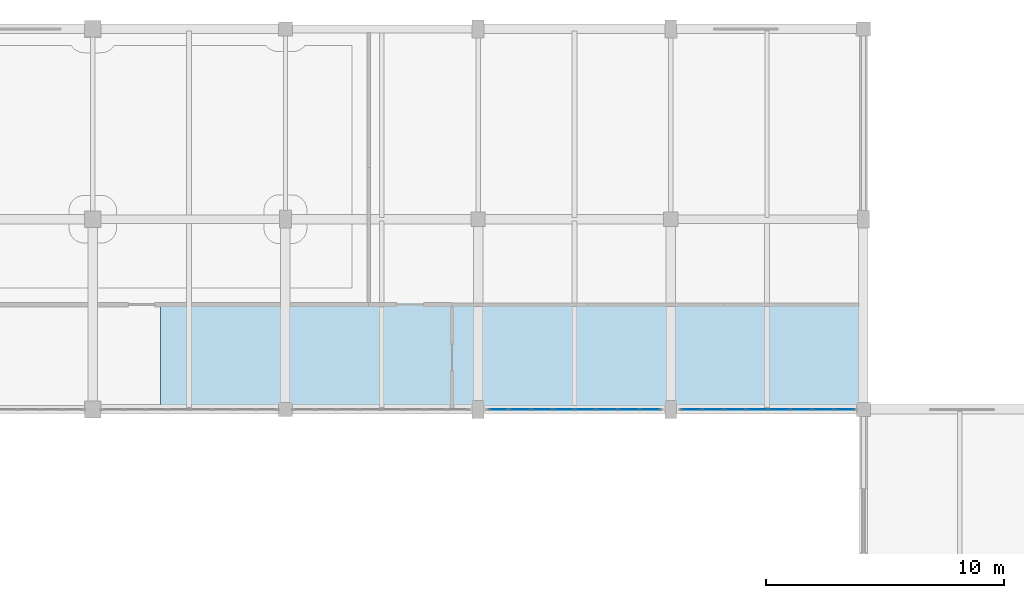
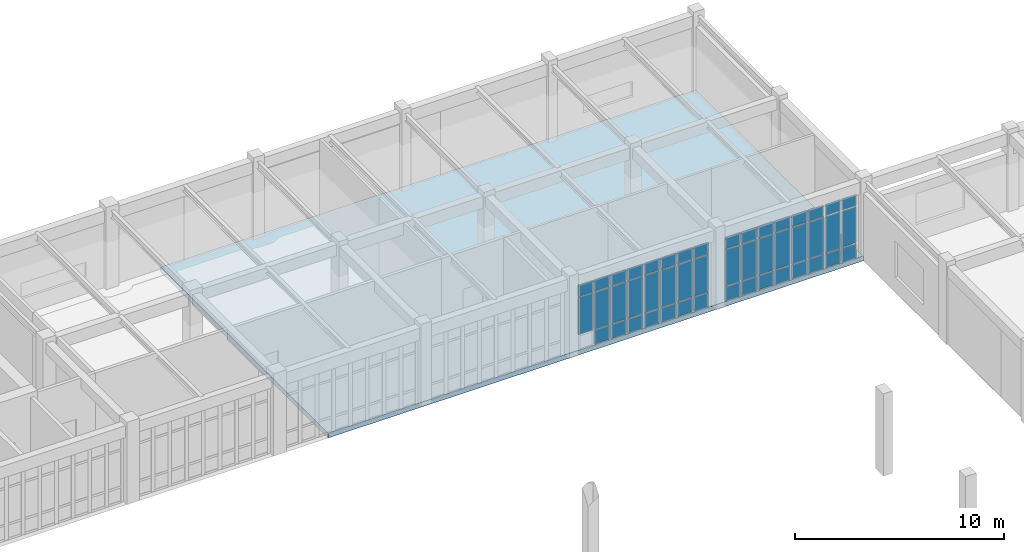
# One storey, part 39 of 61: 47 plates, 1 slab, 2 elements without a shape of their own.
"""IFC4 building model written with IfcOpenShell, lengths in metres."""

from ifc_helpers import new_model, si_unit, direction, frame, origin, origin_2d, place, context, subcontext, project, spatial, polyline, rectangle, outline, extrude, material, layer, layer_set, type_object, element, aggregate, save


model = new_model("IFC4")

# Units and contexts
model_context = context("Model", 3, precision=1e-05, world=origin(), true_north=direction((0.0, 1.0)))
body_context = subcontext(model_context, "Body", "Model", "MODEL_VIEW")
ifc_project = project(units=[si_unit("LENGTHUNIT", "METRE"), si_unit("AREAUNIT", "SQUARE_METRE"), si_unit("VOLUMEUNIT", "CUBIC_METRE"), si_unit("PLANEANGLEUNIT", "RADIAN"), si_unit("MASSUNIT", "GRAM", prefix="KILO")], contexts=[model_context])

# Site, building, storey
site_placement = place(None, origin())
site = spatial("IfcSite", under=ifc_project, at=site_placement, CompositionType="ELEMENT")
building_placement = place(site_placement, origin())
building = spatial("IfcBuilding", under=site, at=building_placement, Name="Tarnveldt Square Police Headquarters", CompositionType="ELEMENT")
storey_placement = place(building_placement, frame((0.0, 0.0, 5.39990234375)))
storey = spatial("IfcBuildingStorey", under=building, at=storey_placement, Name="L01", CompositionType="ELEMENT", Elevation=5.39990234375)

# Curtain wall, plates
ifc_material_1 = material(Name="Triple-glazed low-e laminated vision glass", Category="glass")
curtain_wall_type_1 = type_object("IfcCurtainWallType", Name="CW-LB-732x386", PredefinedType="USERDEFINED", material=ifc_material_1)
curtain_wall_1_placement = place(storey_placement, origin())
curtain_wall_1 = element("IfcCurtainWall", 1, at=curtain_wall_1_placement, inside=storey, type_object=curtain_wall_type_1, Name="L01 Curtain Wall CW-L01-110", ObjectType="GLAZED CURTAIN WALL", PredefinedType="USERDEFINED")
ifc_layer_1 = layer(ifc_material_1, 0.028076171875)
ifc_layer_set_1 = layer_set([ifc_layer_1], Name="Triple-glazed low-e laminated vision glass")
plate_type = type_object("IfcPlateType", Name="CWP-VIS-28", PredefinedType="CURTAIN_PANEL", material=ifc_layer_set_1)
plate_1_placement = place(storey_placement, frame((89.96630859375, 96.0, 0.9326171875), z_axis=(0.0, 0.0, 1.0), x_axis=(1.0, 0.0, 0.0)))
plate_1 = element("IfcPlate", 2, at=plate_1_placement, type_object=plate_type, Name="CW-LB64 panel 1.2", PredefinedType="CURTAIN_PANEL", context=body_context, shape_type="SweptSolid", body=[
    extrude(rectangle(XDim=0.802490234375, YDim=0.028076171875, at=origin_2d()), origin(), (0.0, 0.0, 1.0), 2.14697265625),
])
plate_2_placement = place(storey_placement, frame((89.96630859375, 96.0, 3.14453125), z_axis=(0.0, 0.0, 1.0), x_axis=(1.0, 0.0, 0.0)))
plate_2 = element("IfcPlate", 3, at=plate_2_placement, type_object=plate_type, Name="CW-LB64 panel 1.3", PredefinedType="CURTAIN_PANEL", context=body_context, shape_type="SweptSolid", body=[
    extrude(rectangle(XDim=0.802490234375, YDim=0.028076171875, at=origin_2d()), origin(), (0.0, 0.0, 1.0), 0.652587890625),
])
plate_3_placement = place(storey_placement, frame((90.862548828125, 96.0, 0.06494140625), z_axis=(0.0, 0.0, 1.0), x_axis=(1.0, 0.0, 0.0)))
plate_3 = element("IfcPlate", 4, at=plate_3_placement, type_object=plate_type, Name="CW-LB64 panel 2.1", PredefinedType="CURTAIN_PANEL", context=body_context, shape_type="SweptSolid", body=[
    extrude(rectangle(XDim=0.840087890625, YDim=0.028076171875, at=origin_2d()), origin(), (0.0, 0.0, 1.0), 0.802490234375),
])
plate_4_placement = place(storey_placement, frame((90.862548828125, 96.0, 0.9326171875), z_axis=(0.0, 0.0, 1.0), x_axis=(1.0, 0.0, 0.0)))
plate_4 = element("IfcPlate", 5, at=plate_4_placement, type_object=plate_type, Name="CW-LB64 panel 2.2", PredefinedType="CURTAIN_PANEL", context=body_context, shape_type="SweptSolid", body=[
    extrude(rectangle(XDim=0.840087890625, YDim=0.028076171875, at=origin_2d()), origin(), (0.0, 0.0, 1.0), 2.14697265625),
])
plate_5_placement = place(storey_placement, frame((90.862548828125, 96.0, 3.14453125), z_axis=(0.0, 0.0, 1.0), x_axis=(1.0, 0.0, 0.0)))
plate_5 = element("IfcPlate", 6, at=plate_5_placement, type_object=plate_type, Name="CW-LB64 panel 2.3", PredefinedType="CURTAIN_PANEL", context=body_context, shape_type="SweptSolid", body=[
    extrude(rectangle(XDim=0.840087890625, YDim=0.028076171875, at=origin_2d()), origin(), (0.0, 0.0, 1.0), 0.652587890625),
])
plate_6_placement = place(storey_placement, frame((91.777587890625, 96.0, 0.06494140625), z_axis=(0.0, 0.0, 1.0), x_axis=(1.0, 0.0, 0.0)))
plate_6 = element("IfcPlate", 7, at=plate_6_placement, type_object=plate_type, Name="CW-LB64 panel 3.1", PredefinedType="CURTAIN_PANEL", context=body_context, shape_type="SweptSolid", body=[
    extrude(rectangle(XDim=0.840087890625, YDim=0.028076171875, at=origin_2d()), origin(), (0.0, 0.0, 1.0), 0.802490234375),
])
plate_7_placement = place(storey_placement, frame((91.777587890625, 96.0, 0.9326171875), z_axis=(0.0, 0.0, 1.0), x_axis=(1.0, 0.0, 0.0)))
plate_7 = element("IfcPlate", 8, at=plate_7_placement, type_object=plate_type, Name="CW-LB64 panel 3.2", PredefinedType="CURTAIN_PANEL", context=body_context, shape_type="SweptSolid", body=[
    extrude(rectangle(XDim=0.840087890625, YDim=0.028076171875, at=origin_2d()), origin(), (0.0, 0.0, 1.0), 2.14697265625),
])
plate_8_placement = place(storey_placement, frame((91.777587890625, 96.0, 3.14453125), z_axis=(0.0, 0.0, 1.0), x_axis=(1.0, 0.0, 0.0)))
plate_8 = element("IfcPlate", 9, at=plate_8_placement, type_object=plate_type, Name="CW-LB64 panel 3.3", PredefinedType="CURTAIN_PANEL", context=body_context, shape_type="SweptSolid", body=[
    extrude(rectangle(XDim=0.840087890625, YDim=0.028076171875, at=origin_2d()), origin(), (0.0, 0.0, 1.0), 0.652587890625),
])
plate_9_placement = place(storey_placement, frame((92.6923828125, 96.0, 0.06494140625), z_axis=(0.0, 0.0, 1.0), x_axis=(1.0, 0.0, 0.0)))
plate_9 = element("IfcPlate", 10, at=plate_9_placement, type_object=plate_type, Name="CW-LB64 panel 4.1", PredefinedType="CURTAIN_PANEL", context=body_context, shape_type="SweptSolid", body=[
    extrude(rectangle(XDim=0.840087890625, YDim=0.028076171875, at=origin_2d()), origin(), (0.0, 0.0, 1.0), 0.802490234375),
])
plate_10_placement = place(storey_placement, frame((92.6923828125, 96.0, 0.9326171875), z_axis=(0.0, 0.0, 1.0), x_axis=(1.0, 0.0, 0.0)))
plate_10 = element("IfcPlate", 11, at=plate_10_placement, type_object=plate_type, Name="CW-LB64 panel 4.2", PredefinedType="CURTAIN_PANEL", context=body_context, shape_type="SweptSolid", body=[
    extrude(rectangle(XDim=0.840087890625, YDim=0.028076171875, at=origin_2d()), origin(), (0.0, 0.0, 1.0), 2.14697265625),
])
plate_11_placement = place(storey_placement, frame((92.6923828125, 96.0, 3.14453125), z_axis=(0.0, 0.0, 1.0), x_axis=(1.0, 0.0, 0.0)))
plate_11 = element("IfcPlate", 12, at=plate_11_placement, type_object=plate_type, Name="CW-LB64 panel 4.3", PredefinedType="CURTAIN_PANEL", context=body_context, shape_type="SweptSolid", body=[
    extrude(rectangle(XDim=0.840087890625, YDim=0.028076171875, at=origin_2d()), origin(), (0.0, 0.0, 1.0), 0.652587890625),
])
plate_12_placement = place(storey_placement, frame((93.607421875, 96.0, 0.06494140625), z_axis=(0.0, 0.0, 1.0), x_axis=(1.0, 0.0, 0.0)))
plate_12 = element("IfcPlate", 13, at=plate_12_placement, type_object=plate_type, Name="CW-LB64 panel 5.1", PredefinedType="CURTAIN_PANEL", context=body_context, shape_type="SweptSolid", body=[
    extrude(rectangle(XDim=0.840087890625, YDim=0.028076171875, at=origin_2d()), origin(), (0.0, 0.0, 1.0), 0.802490234375),
])
plate_13_placement = place(storey_placement, frame((93.607421875, 96.0, 0.9326171875), z_axis=(0.0, 0.0, 1.0), x_axis=(1.0, 0.0, 0.0)))
plate_13 = element("IfcPlate", 14, at=plate_13_placement, type_object=plate_type, Name="CW-LB64 panel 5.2", PredefinedType="CURTAIN_PANEL", context=body_context, shape_type="SweptSolid", body=[
    extrude(rectangle(XDim=0.840087890625, YDim=0.028076171875, at=origin_2d()), origin(), (0.0, 0.0, 1.0), 2.14697265625),
])
plate_14_placement = place(storey_placement, frame((93.607421875, 96.0, 3.14453125), z_axis=(0.0, 0.0, 1.0), x_axis=(1.0, 0.0, 0.0)))
plate_14 = element("IfcPlate", 15, at=plate_14_placement, type_object=plate_type, Name="CW-LB64 panel 5.3", PredefinedType="CURTAIN_PANEL", context=body_context, shape_type="SweptSolid", body=[
    extrude(rectangle(XDim=0.840087890625, YDim=0.028076171875, at=origin_2d()), origin(), (0.0, 0.0, 1.0), 0.652587890625),
])
plate_15_placement = place(storey_placement, frame((94.5224609375, 96.0, 0.06494140625), z_axis=(0.0, 0.0, 1.0), x_axis=(1.0, 0.0, 0.0)))
plate_15 = element("IfcPlate", 16, at=plate_15_placement, type_object=plate_type, Name="CW-LB64 panel 6.1", PredefinedType="CURTAIN_PANEL", context=body_context, shape_type="SweptSolid", body=[
    extrude(rectangle(XDim=0.840087890625, YDim=0.028076171875, at=origin_2d()), origin(), (0.0, 0.0, 1.0), 0.802490234375),
])
plate_16_placement = place(storey_placement, frame((94.5224609375, 96.0, 0.9326171875), z_axis=(0.0, 0.0, 1.0), x_axis=(1.0, 0.0, 0.0)))
plate_16 = element("IfcPlate", 17, at=plate_16_placement, type_object=plate_type, Name="CW-LB64 panel 6.2", PredefinedType="CURTAIN_PANEL", context=body_context, shape_type="SweptSolid", body=[
    extrude(rectangle(XDim=0.840087890625, YDim=0.028076171875, at=origin_2d()), origin(), (0.0, 0.0, 1.0), 2.14697265625),
])
plate_17_placement = place(storey_placement, frame((94.5224609375, 96.0, 3.14453125), z_axis=(0.0, 0.0, 1.0), x_axis=(1.0, 0.0, 0.0)))
plate_17 = element("IfcPlate", 18, at=plate_17_placement, type_object=plate_type, Name="CW-LB64 panel 6.3", PredefinedType="CURTAIN_PANEL", context=body_context, shape_type="SweptSolid", body=[
    extrude(rectangle(XDim=0.840087890625, YDim=0.028076171875, at=origin_2d()), origin(), (0.0, 0.0, 1.0), 0.652587890625),
])
plate_18_placement = place(storey_placement, frame((95.4375, 96.0, 0.06494140625), z_axis=(0.0, 0.0, 1.0), x_axis=(1.0, 0.0, 0.0)))
plate_18 = element("IfcPlate", 19, at=plate_18_placement, type_object=plate_type, Name="CW-LB64 panel 7.1", PredefinedType="CURTAIN_PANEL", context=body_context, shape_type="SweptSolid", body=[
    extrude(rectangle(XDim=0.840087890625, YDim=0.028076171875, at=origin_2d()), origin(), (0.0, 0.0, 1.0), 0.802490234375),
])
plate_19_placement = place(storey_placement, frame((95.4375, 96.0, 0.9326171875), z_axis=(0.0, 0.0, 1.0), x_axis=(1.0, 0.0, 0.0)))
plate_19 = element("IfcPlate", 20, at=plate_19_placement, type_object=plate_type, Name="CW-LB64 panel 7.2", PredefinedType="CURTAIN_PANEL", context=body_context, shape_type="SweptSolid", body=[
    extrude(rectangle(XDim=0.840087890625, YDim=0.028076171875, at=origin_2d()), origin(), (0.0, 0.0, 1.0), 2.14697265625),
])
plate_20_placement = place(storey_placement, frame((95.4375, 96.0, 3.14453125), z_axis=(0.0, 0.0, 1.0), x_axis=(1.0, 0.0, 0.0)))
plate_20 = element("IfcPlate", 21, at=plate_20_placement, type_object=plate_type, Name="CW-LB64 panel 7.3", PredefinedType="CURTAIN_PANEL", context=body_context, shape_type="SweptSolid", body=[
    extrude(rectangle(XDim=0.840087890625, YDim=0.028076171875, at=origin_2d()), origin(), (0.0, 0.0, 1.0), 0.652587890625),
])
plate_21_placement = place(storey_placement, frame((96.333740234375, 96.0, 0.06494140625), z_axis=(0.0, 0.0, 1.0), x_axis=(1.0, 0.0, 0.0)))
plate_21 = element("IfcPlate", 22, at=plate_21_placement, type_object=plate_type, Name="CW-LB64 panel 8.1", PredefinedType="CURTAIN_PANEL", context=body_context, shape_type="SweptSolid", body=[
    extrude(rectangle(XDim=0.802490234375, YDim=0.028076171875, at=origin_2d()), origin(), (0.0, 0.0, 1.0), 0.802490234375),
])
plate_22_placement = place(storey_placement, frame((96.333740234375, 96.0, 0.9326171875), z_axis=(0.0, 0.0, 1.0), x_axis=(1.0, 0.0, 0.0)))
plate_22 = element("IfcPlate", 23, at=plate_22_placement, type_object=plate_type, Name="CW-LB64 panel 8.2", PredefinedType="CURTAIN_PANEL", context=body_context, shape_type="SweptSolid", body=[
    extrude(rectangle(XDim=0.802490234375, YDim=0.028076171875, at=origin_2d()), origin(), (0.0, 0.0, 1.0), 2.14697265625),
])
plate_23_placement = place(storey_placement, frame((96.333740234375, 96.0, 3.14453125), z_axis=(0.0, 0.0, 1.0), x_axis=(1.0, 0.0, 0.0)))
plate_23 = element("IfcPlate", 24, at=plate_23_placement, type_object=plate_type, Name="CW-LB64 panel 8.3", PredefinedType="CURTAIN_PANEL", context=body_context, shape_type="SweptSolid", body=[
    extrude(rectangle(XDim=0.802490234375, YDim=0.028076171875, at=origin_2d()), origin(), (0.0, 0.0, 1.0), 0.652587890625),
])
aggregate(curtain_wall_1, [plate_1, plate_2, plate_3, plate_4, plate_5, plate_6, plate_7, plate_8, plate_9, plate_10, plate_11, plate_12, plate_13, plate_14, plate_15, plate_16, plate_17, plate_18, plate_19, plate_20, plate_21, plate_22, plate_23])

curtain_wall_type_2 = type_object("IfcCurtainWallType", Name="CW-LB-739x381", PredefinedType="USERDEFINED", material=ifc_material_1)
curtain_wall_2_placement = place(storey_placement, origin())
curtain_wall_2 = element("IfcCurtainWall", 25, at=curtain_wall_2_placement, inside=storey, type_object=curtain_wall_type_2, Name="L01 Curtain Wall CW-L01-111", ObjectType="GLAZED CURTAIN WALL", PredefinedType="USERDEFINED")
plate_24_placement = place(storey_placement, frame((98.071044921875, 96.0, 0.06494140625), z_axis=(0.0, 0.0, 1.0), x_axis=(1.0, 0.0, 0.0)))
plate_24 = element("IfcPlate", 26, at=plate_24_placement, type_object=plate_type, Name="CW-LB63 panel 1.1", PredefinedType="CURTAIN_PANEL", context=body_context, shape_type="SweptSolid", body=[
    extrude(rectangle(XDim=0.811767578125, YDim=0.028076171875, at=origin_2d()), origin(), (0.0, 0.0, 1.0), 0.802490234375),
])
plate_25_placement = place(storey_placement, frame((98.071044921875, 96.0, 0.9326171875), z_axis=(0.0, 0.0, 1.0), x_axis=(1.0, 0.0, 0.0)))
plate_25 = element("IfcPlate", 27, at=plate_25_placement, type_object=plate_type, Name="CW-LB63 panel 1.2", PredefinedType="CURTAIN_PANEL", context=body_context, shape_type="SweptSolid", body=[
    extrude(rectangle(XDim=0.811767578125, YDim=0.028076171875, at=origin_2d()), origin(), (0.0, 0.0, 1.0), 2.096923828125),
])
plate_26_placement = place(storey_placement, frame((98.071044921875, 96.0, 3.0947265625), z_axis=(0.0, 0.0, 1.0), x_axis=(1.0, 0.0, 0.0)))
plate_26 = element("IfcPlate", 28, at=plate_26_placement, type_object=plate_type, Name="CW-LB63 panel 1.3", PredefinedType="CURTAIN_PANEL", context=body_context, shape_type="SweptSolid", body=[
    extrude(rectangle(XDim=0.811767578125, YDim=0.028076171875, at=origin_2d()), origin(), (0.0, 0.0, 1.0), 0.652587890625),
])
plate_27_placement = place(storey_placement, frame((98.9765625, 96.0, 0.06494140625), z_axis=(0.0, 0.0, 1.0), x_axis=(1.0, 0.0, 0.0)))
plate_27 = element("IfcPlate", 29, at=plate_27_placement, type_object=plate_type, Name="CW-LB63 panel 2.1", PredefinedType="CURTAIN_PANEL", context=body_context, shape_type="SweptSolid", body=[
    extrude(rectangle(XDim=0.849365234375, YDim=0.028076171875, at=origin_2d()), origin(), (0.0, 0.0, 1.0), 0.802490234375),
])
plate_28_placement = place(storey_placement, frame((98.9765625, 96.0, 0.9326171875), z_axis=(0.0, 0.0, 1.0), x_axis=(1.0, 0.0, 0.0)))
plate_28 = element("IfcPlate", 30, at=plate_28_placement, type_object=plate_type, Name="CW-LB63 panel 2.2", PredefinedType="CURTAIN_PANEL", context=body_context, shape_type="SweptSolid", body=[
    extrude(rectangle(XDim=0.849365234375, YDim=0.028076171875, at=origin_2d()), origin(), (0.0, 0.0, 1.0), 2.096923828125),
])
plate_29_placement = place(storey_placement, frame((98.9765625, 96.0, 3.0947265625), z_axis=(0.0, 0.0, 1.0), x_axis=(1.0, 0.0, 0.0)))
plate_29 = element("IfcPlate", 31, at=plate_29_placement, type_object=plate_type, Name="CW-LB63 panel 2.3", PredefinedType="CURTAIN_PANEL", context=body_context, shape_type="SweptSolid", body=[
    extrude(rectangle(XDim=0.849365234375, YDim=0.028076171875, at=origin_2d()), origin(), (0.0, 0.0, 1.0), 0.652587890625),
])
plate_30_placement = place(storey_placement, frame((99.90087890625, 96.0, 0.06494140625), z_axis=(0.0, 0.0, 1.0), x_axis=(1.0, 0.0, 0.0)))
plate_30 = element("IfcPlate", 32, at=plate_30_placement, type_object=plate_type, Name="CW-LB63 panel 3.1", PredefinedType="CURTAIN_PANEL", context=body_context, shape_type="SweptSolid", body=[
    extrude(rectangle(XDim=0.849365234375, YDim=0.028076171875, at=origin_2d()), origin(), (0.0, 0.0, 1.0), 0.802490234375),
])
plate_31_placement = place(storey_placement, frame((99.90087890625, 96.0, 0.9326171875), z_axis=(0.0, 0.0, 1.0), x_axis=(1.0, 0.0, 0.0)))
plate_31 = element("IfcPlate", 33, at=plate_31_placement, type_object=plate_type, Name="CW-LB63 panel 3.2", PredefinedType="CURTAIN_PANEL", context=body_context, shape_type="SweptSolid", body=[
    extrude(rectangle(XDim=0.849365234375, YDim=0.028076171875, at=origin_2d()), origin(), (0.0, 0.0, 1.0), 2.096923828125),
])
plate_32_placement = place(storey_placement, frame((99.90087890625, 96.0, 3.0947265625), z_axis=(0.0, 0.0, 1.0), x_axis=(1.0, 0.0, 0.0)))
plate_32 = element("IfcPlate", 34, at=plate_32_placement, type_object=plate_type, Name="CW-LB63 panel 3.3", PredefinedType="CURTAIN_PANEL", context=body_context, shape_type="SweptSolid", body=[
    extrude(rectangle(XDim=0.849365234375, YDim=0.028076171875, at=origin_2d()), origin(), (0.0, 0.0, 1.0), 0.652587890625),
])
plate_33_placement = place(storey_placement, frame((100.8251953125, 96.0, 0.06494140625), z_axis=(0.0, 0.0, 1.0), x_axis=(1.0, 0.0, 0.0)))
plate_33 = element("IfcPlate", 35, at=plate_33_placement, type_object=plate_type, Name="CW-LB63 panel 4.1", PredefinedType="CURTAIN_PANEL", context=body_context, shape_type="SweptSolid", body=[
    extrude(rectangle(XDim=0.849365234375, YDim=0.028076171875, at=origin_2d()), origin(), (0.0, 0.0, 1.0), 0.802490234375),
])
plate_34_placement = place(storey_placement, frame((100.8251953125, 96.0, 0.9326171875), z_axis=(0.0, 0.0, 1.0), x_axis=(1.0, 0.0, 0.0)))
plate_34 = element("IfcPlate", 36, at=plate_34_placement, type_object=plate_type, Name="CW-LB63 panel 4.2", PredefinedType="CURTAIN_PANEL", context=body_context, shape_type="SweptSolid", body=[
    extrude(rectangle(XDim=0.849365234375, YDim=0.028076171875, at=origin_2d()), origin(), (0.0, 0.0, 1.0), 2.096923828125),
])
plate_35_placement = place(storey_placement, frame((100.8251953125, 96.0, 3.0947265625), z_axis=(0.0, 0.0, 1.0), x_axis=(1.0, 0.0, 0.0)))
plate_35 = element("IfcPlate", 37, at=plate_35_placement, type_object=plate_type, Name="CW-LB63 panel 4.3", PredefinedType="CURTAIN_PANEL", context=body_context, shape_type="SweptSolid", body=[
    extrude(rectangle(XDim=0.849365234375, YDim=0.028076171875, at=origin_2d()), origin(), (0.0, 0.0, 1.0), 0.652587890625),
])
plate_36_placement = place(storey_placement, frame((101.749755859375, 96.0, 0.06494140625), z_axis=(0.0, 0.0, 1.0), x_axis=(1.0, 0.0, 0.0)))
plate_36 = element("IfcPlate", 38, at=plate_36_placement, type_object=plate_type, Name="CW-LB63 panel 5.1", PredefinedType="CURTAIN_PANEL", context=body_context, shape_type="SweptSolid", body=[
    extrude(rectangle(XDim=0.849365234375, YDim=0.028076171875, at=origin_2d()), origin(), (0.0, 0.0, 1.0), 0.802490234375),
])
plate_37_placement = place(storey_placement, frame((101.749755859375, 96.0, 0.9326171875), z_axis=(0.0, 0.0, 1.0), x_axis=(1.0, 0.0, 0.0)))
plate_37 = element("IfcPlate", 39, at=plate_37_placement, type_object=plate_type, Name="CW-LB63 panel 5.2", PredefinedType="CURTAIN_PANEL", context=body_context, shape_type="SweptSolid", body=[
    extrude(rectangle(XDim=0.849365234375, YDim=0.028076171875, at=origin_2d()), origin(), (0.0, 0.0, 1.0), 2.096923828125),
])
plate_38_placement = place(storey_placement, frame((101.749755859375, 96.0, 3.0947265625), z_axis=(0.0, 0.0, 1.0), x_axis=(1.0, 0.0, 0.0)))
plate_38 = element("IfcPlate", 40, at=plate_38_placement, type_object=plate_type, Name="CW-LB63 panel 5.3", PredefinedType="CURTAIN_PANEL", context=body_context, shape_type="SweptSolid", body=[
    extrude(rectangle(XDim=0.849365234375, YDim=0.028076171875, at=origin_2d()), origin(), (0.0, 0.0, 1.0), 0.652587890625),
])
plate_39_placement = place(storey_placement, frame((102.674072265625, 96.0, 0.06494140625), z_axis=(0.0, 0.0, 1.0), x_axis=(1.0, 0.0, 0.0)))
plate_39 = element("IfcPlate", 41, at=plate_39_placement, type_object=plate_type, Name="CW-LB63 panel 6.1", PredefinedType="CURTAIN_PANEL", context=body_context, shape_type="SweptSolid", body=[
    extrude(rectangle(XDim=0.849365234375, YDim=0.028076171875, at=origin_2d()), origin(), (0.0, 0.0, 1.0), 0.802490234375),
])
plate_40_placement = place(storey_placement, frame((102.674072265625, 96.0, 0.9326171875), z_axis=(0.0, 0.0, 1.0), x_axis=(1.0, 0.0, 0.0)))
plate_40 = element("IfcPlate", 42, at=plate_40_placement, type_object=plate_type, Name="CW-LB63 panel 6.2", PredefinedType="CURTAIN_PANEL", context=body_context, shape_type="SweptSolid", body=[
    extrude(rectangle(XDim=0.849365234375, YDim=0.028076171875, at=origin_2d()), origin(), (0.0, 0.0, 1.0), 2.096923828125),
])
plate_41_placement = place(storey_placement, frame((102.674072265625, 96.0, 3.0947265625), z_axis=(0.0, 0.0, 1.0), x_axis=(1.0, 0.0, 0.0)))
plate_41 = element("IfcPlate", 43, at=plate_41_placement, type_object=plate_type, Name="CW-LB63 panel 6.3", PredefinedType="CURTAIN_PANEL", context=body_context, shape_type="SweptSolid", body=[
    extrude(rectangle(XDim=0.849365234375, YDim=0.028076171875, at=origin_2d()), origin(), (0.0, 0.0, 1.0), 0.652587890625),
])
plate_42_placement = place(storey_placement, frame((103.598388671875, 96.0, 0.06494140625), z_axis=(0.0, 0.0, 1.0), x_axis=(1.0, 0.0, 0.0)))
plate_42 = element("IfcPlate", 44, at=plate_42_placement, type_object=plate_type, Name="CW-LB63 panel 7.1", PredefinedType="CURTAIN_PANEL", context=body_context, shape_type="SweptSolid", body=[
    extrude(rectangle(XDim=0.849365234375, YDim=0.028076171875, at=origin_2d()), origin(), (0.0, 0.0, 1.0), 0.802490234375),
])
plate_43_placement = place(storey_placement, frame((103.598388671875, 96.0, 0.9326171875), z_axis=(0.0, 0.0, 1.0), x_axis=(1.0, 0.0, 0.0)))
plate_43 = element("IfcPlate", 45, at=plate_43_placement, type_object=plate_type, Name="CW-LB63 panel 7.2", PredefinedType="CURTAIN_PANEL", context=body_context, shape_type="SweptSolid", body=[
    extrude(rectangle(XDim=0.849365234375, YDim=0.028076171875, at=origin_2d()), origin(), (0.0, 0.0, 1.0), 2.096923828125),
])
plate_44_placement = place(storey_placement, frame((103.598388671875, 96.0, 3.0947265625), z_axis=(0.0, 0.0, 1.0), x_axis=(1.0, 0.0, 0.0)))
plate_44 = element("IfcPlate", 46, at=plate_44_placement, type_object=plate_type, Name="CW-LB63 panel 7.3", PredefinedType="CURTAIN_PANEL", context=body_context, shape_type="SweptSolid", body=[
    extrude(rectangle(XDim=0.849365234375, YDim=0.028076171875, at=origin_2d()), origin(), (0.0, 0.0, 1.0), 0.652587890625),
])
plate_45_placement = place(storey_placement, frame((104.504150390625, 96.0, 0.06494140625), z_axis=(0.0, 0.0, 1.0), x_axis=(1.0, 0.0, 0.0)))
plate_45 = element("IfcPlate", 47, at=plate_45_placement, type_object=plate_type, Name="CW-LB63 panel 8.1", PredefinedType="CURTAIN_PANEL", context=body_context, shape_type="SweptSolid", body=[
    extrude(rectangle(XDim=0.811767578125, YDim=0.028076171875, at=origin_2d()), origin(), (0.0, 0.0, 1.0), 0.802490234375),
])
plate_46_placement = place(storey_placement, frame((104.504150390625, 96.0, 0.9326171875), z_axis=(0.0, 0.0, 1.0), x_axis=(1.0, 0.0, 0.0)))
plate_46 = element("IfcPlate", 48, at=plate_46_placement, type_object=plate_type, Name="CW-LB63 panel 8.2", PredefinedType="CURTAIN_PANEL", context=body_context, shape_type="SweptSolid", body=[
    extrude(rectangle(XDim=0.811767578125, YDim=0.028076171875, at=origin_2d()), origin(), (0.0, 0.0, 1.0), 2.096923828125),
])
plate_47_placement = place(storey_placement, frame((104.504150390625, 96.0, 3.0947265625), z_axis=(0.0, 0.0, 1.0), x_axis=(1.0, 0.0, 0.0)))
plate_47 = element("IfcPlate", 49, at=plate_47_placement, type_object=plate_type, Name="CW-LB63 panel 8.3", PredefinedType="CURTAIN_PANEL", context=body_context, shape_type="SweptSolid", body=[
    extrude(rectangle(XDim=0.811767578125, YDim=0.028076171875, at=origin_2d()), origin(), (0.0, 0.0, 1.0), 0.652587890625),
])
aggregate(curtain_wall_2, [plate_24, plate_25, plate_26, plate_27, plate_28, plate_29, plate_30, plate_31, plate_32, plate_33, plate_34, plate_35, plate_36, plate_37, plate_38, plate_39, plate_40, plate_41, plate_42, plate_43, plate_44, plate_45, plate_46, plate_47])

# Slab
ifc_material_2 = material(Name="Concrete 40 MPa", Category="concrete")
ifc_layer_2 = layer(ifc_material_2, 0.280029296875)
ifc_layer_set_2 = layer_set([ifc_layer_2], Name="Concrete 40 MPa")
slab_type = type_object("IfcSlabType", Name="SL-POD-280", PredefinedType="FLOOR", material=ifc_layer_set_2)
slab_placement = place(storey_placement, frame((0.0, 0.0, -0.27978515625)))
element("IfcSlab", 50, at=slab_placement, inside=storey, type_object=slab_type, Name="L01 Structural Floor Slab L01-V6-2", PredefinedType="FLOOR", context=body_context, shape_type="SweptSolid", body=[
    extrude(outline(polyline([(105.300048828125, 112.0), (105.300048828125, 96.0), (75.75, 96.0), (75.75, 112.0), (105.300048828125, 112.0)])), origin(), (0.0, 0.0, 1.0), 0.27978515625),
])

save(model, "model.ifc")
